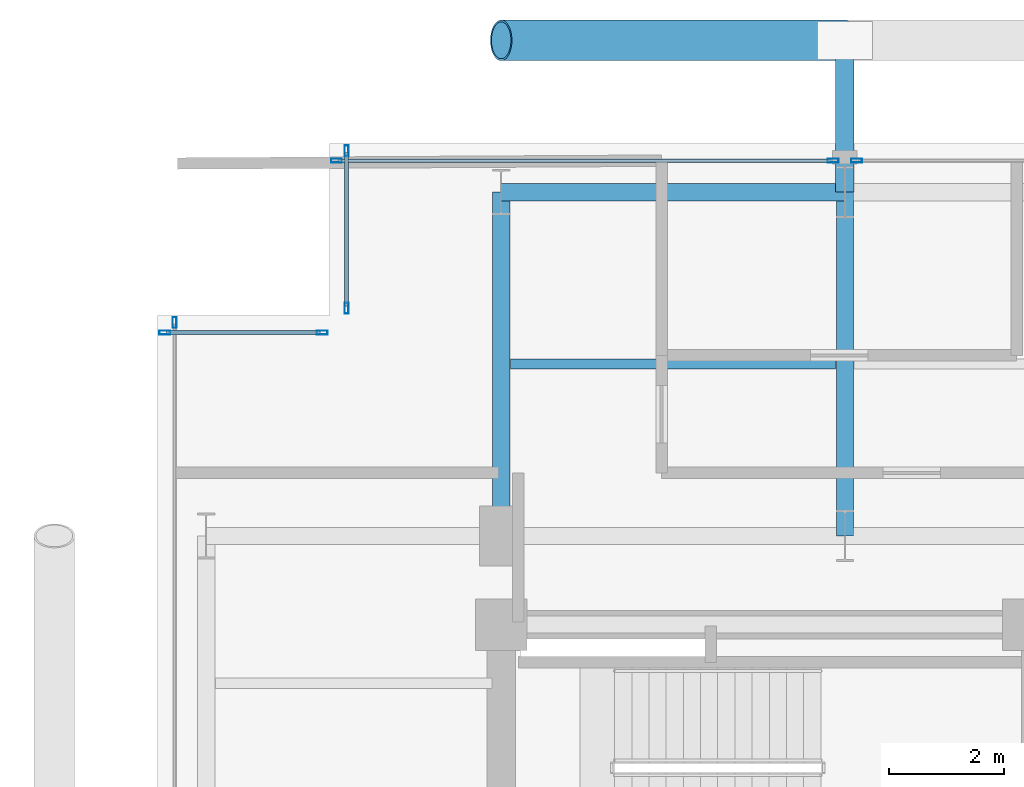
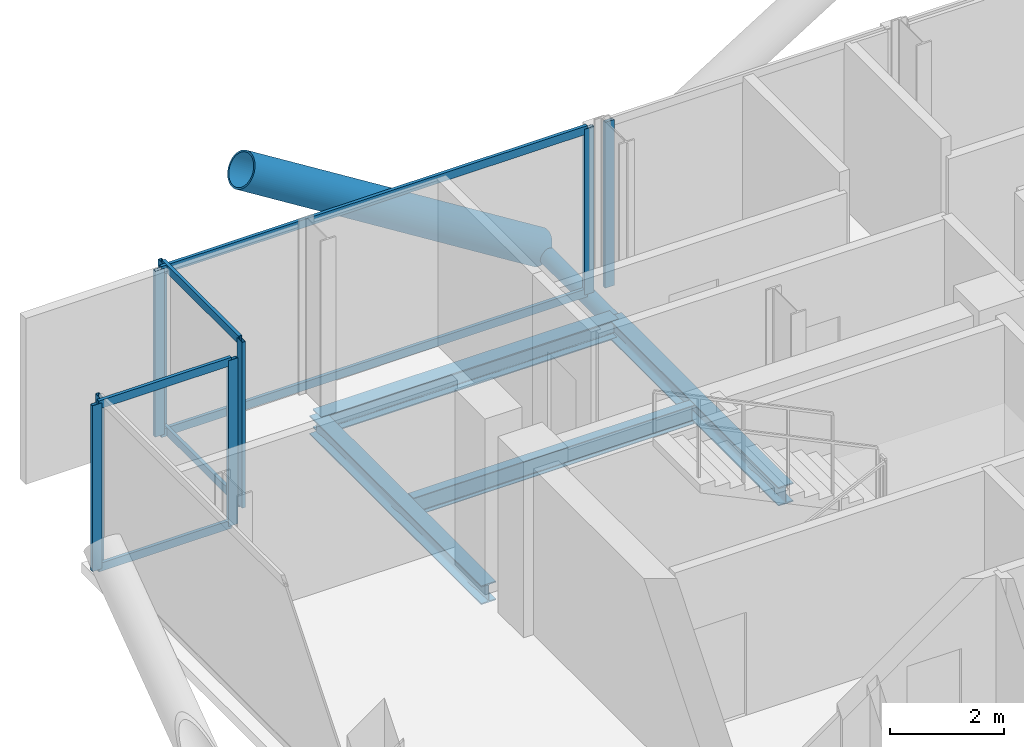
# One storey, part 13 of 22: 16 members, 4 beams, 5 elements without a shape of their own.
"""IFC4 building model written with IfcOpenShell, lengths in metres."""

from ifc_helpers import new_model, si_unit, direction, frame, origin, origin_2d, place, context, subcontext, project, spatial, hollow_rectangle, hollow_circle, i_section, extrude, material, layer, layer_set, material_profile, profile_set, type_object, element, aggregate, save


model = new_model("IFC4")

# Units and contexts
model_context = context("Model", 3, precision=1e-05, world=origin(), true_north=direction((0.0, 1.0)))
body_context = subcontext(model_context, "Body", "Model", "MODEL_VIEW")
ifc_project = project(units=[si_unit("LENGTHUNIT", "METRE"), si_unit("AREAUNIT", "SQUARE_METRE"), si_unit("VOLUMEUNIT", "CUBIC_METRE"), si_unit("PLANEANGLEUNIT", "RADIAN"), si_unit("MASSUNIT", "GRAM", prefix="KILO"), si_unit("THERMODYNAMICTEMPERATUREUNIT", "KELVIN"), si_unit("POWERUNIT", "WATT")], contexts=[model_context])

# Site, building, storey
site_placement = place(None, origin())
site = spatial("IfcSite", under=ifc_project, at=site_placement, CompositionType="ELEMENT")
building_placement = place(site_placement, origin())
building = spatial("IfcBuilding", under=site, at=building_placement, Name="Svarakhadi Broadcast Tower", CompositionType="ELEMENT")
storey_placement = place(building_placement, frame((0.0, 0.0, 176.699951171875)))
storey = spatial("IfcBuildingStorey", under=building, at=storey_placement, Name="L43", CompositionType="ELEMENT", Elevation=176.699951171875)

# Beam
ifc_material_1 = material(Name="Steel S355J2 (IS 2062 E350C)", Category="steel")
ifc_material_profile_1 = material_profile(ifc_material_1, i_section(OverallWidth=0.179931640625, OverallDepth=0.39990234375, WebThickness=0.008544921875, FlangeThickness=0.013427734375, FilletRadius=0.02099609375, at=origin_2d()), Name="NPB 400x180x66")
ifc_profile_set_1 = profile_set([ifc_material_profile_1], Name="Steel S355J2 (IS 2062 E350C)")
beam_type_1 = type_object("IfcBeamType", Name="Beam_NPB400", PredefinedType="BEAM", material=ifc_profile_set_1)
beam_placement = place(storey_placement, frame((6.159912109375, 32.14990234375, -0.409912109375), z_axis=(1.0, 0.0, 0.0), x_axis=(0.0, 1.0, 0.0)))
element("IfcBeam", 1, at=beam_placement, inside=storey, type_object=beam_type_1, Name="L43 Secondary Composite Beam SB008", PredefinedType="BEAM", context=body_context, shape_type="SweptSolid", body=[
    extrude(i_section(OverallWidth=0.179931640625, OverallDepth=0.39990234375, WebThickness=0.008544921875, FlangeThickness=0.013427734375, FilletRadius=0.02099609375, at=origin_2d()), origin(), (0.0, 0.0, 1.0), 5.68017578125),
])

# Curtain wall, member
ifc_material_2 = material(Name="Anodised Bronze Aluminium AA 6063-T6", Category="aluminium")
ifc_layer = layer(ifc_material_2, 0.18994140625)
ifc_layer_set = layer_set([ifc_layer], Name="Anodised Bronze Aluminium AA 6063-T6")
curtain_wall_type = type_object("IfcCurtainWallType", Name="CW_Sys_04", PredefinedType="NOTDEFINED", material=ifc_layer_set)
curtain_wall_1_placement = place(storey_placement, origin())
curtain_wall_1 = element("IfcCurtainWall", 2, at=curtain_wall_1_placement, inside=storey, type_object=curtain_wall_type, Name="L43 West Curtain Wall 03", PredefinedType="NOTDEFINED")
ifc_material_profile_2 = material_profile(ifc_material_2, hollow_rectangle(XDim=0.070068359375, YDim=0.18994140625, WallThickness=0.005615234375, at=origin_2d()), Name="ALU MULLION 190x70x6")
ifc_profile_set_2 = profile_set([ifc_material_profile_2], Name="Anodised Bronze Aluminium AA 6063-T6")
member_type_1 = type_object("IfcMemberType", Name="CW_Sys_04_Mul", PredefinedType="MULLION", material=ifc_profile_set_2)
member_1_placement = place(storey_placement, frame((0.300048828125, 32.875, 0.0), z_axis=(0.0, 0.0, 1.0), x_axis=(-1.0, 0.0, 0.0)))
member_1 = element("IfcMember", 3, at=member_1_placement, type_object=member_type_1, Name="CW-04 mullion 2", PredefinedType="MULLION", context=body_context, shape_type="SweptSolid", body=[
    extrude(hollow_rectangle(XDim=0.070068359375, YDim=0.18994140625, WallThickness=0.005615234375, at=origin_2d()), origin(), (0.0, 0.0, 1.0), 3.5400390625),
])
aggregate(curtain_wall_1, [member_1])

# Curtain wall, members
curtain_wall_2_placement = place(storey_placement, origin())
curtain_wall_2 = element("IfcCurtainWall", 4, at=curtain_wall_2_placement, inside=storey, type_object=curtain_wall_type, Name="L43 Unitised Facade Curtain Wall 04", PredefinedType="NOTDEFINED")
member_2_placement = place(storey_placement, frame((0.125, 32.699951171875, 0.0), z_axis=(0.0, 0.0, 1.0), x_axis=(0.0, 1.0, 0.0)))
member_2 = element("IfcMember", 5, at=member_2_placement, type_object=member_type_1, Name="CW-04 mullion 1", PredefinedType="MULLION", context=body_context, shape_type="SweptSolid", body=[
    extrude(hollow_rectangle(XDim=0.070068359375, YDim=0.18994140625, WallThickness=0.005615234375, at=origin_2d()), origin(), (0.0, 0.0, 1.0), 3.5400390625),
])
member_3_placement = place(storey_placement, frame((2.875, 32.699951171875, 0.0), z_axis=(0.0, 0.0, 1.0), x_axis=(0.0, 1.0, 0.0)))
member_3 = element("IfcMember", 6, at=member_3_placement, type_object=member_type_1, Name="CW-04 mullion 2", PredefinedType="MULLION", context=body_context, shape_type="SweptSolid", body=[
    extrude(hollow_rectangle(XDim=0.070068359375, YDim=0.18994140625, WallThickness=0.005615234375, at=origin_2d()), origin(), (0.0, 0.0, 1.0), 3.5400390625),
])

curtain_wall_3_placement = place(storey_placement, origin())
curtain_wall_3 = element("IfcCurtainWall", 7, at=curtain_wall_3_placement, inside=storey, type_object=curtain_wall_type, Name="L43 Unitised Facade Curtain Wall 05", PredefinedType="NOTDEFINED")
member_4_placement = place(storey_placement, frame((3.300048828125, 33.125, 0.0), z_axis=(0.0, 0.0, 1.0), x_axis=(-1.0, 0.0, 0.0)))
member_4 = element("IfcMember", 8, at=member_4_placement, type_object=member_type_1, Name="CW-04 mullion 1", PredefinedType="MULLION", context=body_context, shape_type="SweptSolid", body=[
    extrude(hollow_rectangle(XDim=0.070068359375, YDim=0.18994140625, WallThickness=0.005615234375, at=origin_2d()), origin(), (0.0, 0.0, 1.0), 3.5400390625),
])
member_5_placement = place(storey_placement, frame((3.300048828125, 35.875, 0.0), z_axis=(0.0, 0.0, 1.0), x_axis=(-1.0, 0.0, 0.0)))
member_5 = element("IfcMember", 9, at=member_5_placement, type_object=member_type_1, Name="CW-04 mullion 2", PredefinedType="MULLION", context=body_context, shape_type="SweptSolid", body=[
    extrude(hollow_rectangle(XDim=0.070068359375, YDim=0.18994140625, WallThickness=0.005615234375, at=origin_2d()), origin(), (0.0, 0.0, 1.0), 3.5400390625),
])

curtain_wall_4_placement = place(storey_placement, origin())
curtain_wall_4 = element("IfcCurtainWall", 10, at=curtain_wall_4_placement, inside=storey, type_object=curtain_wall_type, Name="L43 Unitised Facade Curtain Wall 06 Bay 1", PredefinedType="NOTDEFINED")
member_6_placement = place(storey_placement, frame((3.125, 35.699951171875, 0.0), z_axis=(0.0, 0.0, 1.0), x_axis=(0.0, 1.0, 0.0)))
member_6 = element("IfcMember", 11, at=member_6_placement, type_object=member_type_1, Name="CW-04 mullion 1", PredefinedType="MULLION", context=body_context, shape_type="SweptSolid", body=[
    extrude(hollow_rectangle(XDim=0.070068359375, YDim=0.18994140625, WallThickness=0.005615234375, at=origin_2d()), origin(), (0.0, 0.0, 1.0), 3.5400390625),
])
member_7_placement = place(storey_placement, frame((11.794921875, 35.699951171875, 0.0), z_axis=(0.0, 0.0, 1.0), x_axis=(0.0, 1.0, 0.0)))
member_7 = element("IfcMember", 12, at=member_7_placement, type_object=member_type_1, Name="CW-04 mullion 2", PredefinedType="MULLION", context=body_context, shape_type="SweptSolid", body=[
    extrude(hollow_rectangle(XDim=0.070068359375, YDim=0.18994140625, WallThickness=0.005615234375, at=origin_2d()), origin(), (0.0, 0.0, 1.0), 3.5400390625),
])

# Curtain wall, member
curtain_wall_5_placement = place(storey_placement, origin())
curtain_wall_5 = element("IfcCurtainWall", 13, at=curtain_wall_5_placement, inside=storey, type_object=curtain_wall_type, Name="L43 Unitised Facade Curtain Wall 06 Bay 2", PredefinedType="NOTDEFINED")
member_8_placement = place(storey_placement, frame((12.205078125, 35.699951171875, 0.0), z_axis=(0.0, 0.0, 1.0), x_axis=(0.0, 1.0, 0.0)))
member_8 = element("IfcMember", 14, at=member_8_placement, type_object=member_type_1, Name="CW-04 mullion 1", PredefinedType="MULLION", context=body_context, shape_type="SweptSolid", body=[
    extrude(hollow_rectangle(XDim=0.070068359375, YDim=0.18994140625, WallThickness=0.005615234375, at=origin_2d()), origin(), (0.0, 0.0, 1.0), 3.5400390625),
])
aggregate(curtain_wall_5, [member_8])

# Member
ifc_material_profile_3 = material_profile(ifc_material_2, hollow_rectangle(XDim=0.06494140625, YDim=0.175048828125, WallThickness=0.0048828125, at=origin_2d()), Name="ALU TRANSOM 175x65x5")
ifc_profile_set_3 = profile_set([ifc_material_profile_3], Name="Anodised Bronze Aluminium AA 6063-T6")
member_type_2 = type_object("IfcMemberType", Name="CW_Sys_04_Trn", PredefinedType="USERDEFINED", material=ifc_profile_set_3)
member_9_placement = place(storey_placement, frame((0.159912109375, 32.699951171875, 0.032470703125), z_axis=(1.0, 0.0, 0.0), x_axis=(0.0, 1.0, 0.0)))
member_9 = element("IfcMember", 15, at=member_9_placement, type_object=member_type_2, Name="CW-04 transom 1.1", ObjectType="TRANSOM", PredefinedType="USERDEFINED", context=body_context, shape_type="SweptSolid", body=[
    extrude(hollow_rectangle(XDim=0.06494140625, YDim=0.175048828125, WallThickness=0.0048828125, at=origin_2d()), origin(), (0.0, 0.0, 1.0), 2.68017578125),
])

member_10_placement = place(storey_placement, frame((0.159912109375, 32.699951171875, 3.507568359375), z_axis=(1.0, 0.0, 0.0), x_axis=(0.0, 1.0, 0.0)))
member_10 = element("IfcMember", 16, at=member_10_placement, type_object=member_type_2, Name="CW-04 transom 1.2", ObjectType="TRANSOM", PredefinedType="USERDEFINED", context=body_context, shape_type="SweptSolid", body=[
    extrude(hollow_rectangle(XDim=0.06494140625, YDim=0.175048828125, WallThickness=0.0048828125, at=origin_2d()), origin(), (0.0, 0.0, 1.0), 2.68017578125),
])

aggregate(curtain_wall_2, [member_2, member_3, member_9, member_10])

member_11_placement = place(storey_placement, frame((3.300048828125, 33.159912109375, 0.032470703125), z_axis=(0.0, 1.0, 0.0), x_axis=(-1.0, 0.0, 0.0)))
member_11 = element("IfcMember", 17, at=member_11_placement, type_object=member_type_2, Name="CW-04 transom 1.1", ObjectType="TRANSOM", PredefinedType="USERDEFINED", context=body_context, shape_type="SweptSolid", body=[
    extrude(hollow_rectangle(XDim=0.06494140625, YDim=0.175048828125, WallThickness=0.0048828125, at=origin_2d()), origin(), (0.0, 0.0, 1.0), 2.68017578125),
])

member_12_placement = place(storey_placement, frame((3.300048828125, 33.159912109375, 3.507568359375), z_axis=(0.0, 1.0, 0.0), x_axis=(-1.0, 0.0, 0.0)))
member_12 = element("IfcMember", 18, at=member_12_placement, type_object=member_type_2, Name="CW-04 transom 1.2", ObjectType="TRANSOM", PredefinedType="USERDEFINED", context=body_context, shape_type="SweptSolid", body=[
    extrude(hollow_rectangle(XDim=0.06494140625, YDim=0.175048828125, WallThickness=0.0048828125, at=origin_2d()), origin(), (0.0, 0.0, 1.0), 2.68017578125),
])

aggregate(curtain_wall_3, [member_4, member_5, member_11, member_12])

member_13_placement = place(storey_placement, frame((3.159912109375, 35.699951171875, 0.032470703125), z_axis=(1.0, 0.0, 0.0), x_axis=(0.0, 1.0, 0.0)))
member_13 = element("IfcMember", 19, at=member_13_placement, type_object=member_type_2, Name="CW-04 transom 1.1", ObjectType="TRANSOM", PredefinedType="USERDEFINED", context=body_context, shape_type="SweptSolid", body=[
    extrude(hollow_rectangle(XDim=0.06494140625, YDim=0.175048828125, WallThickness=0.0048828125, at=origin_2d()), origin(), (0.0, 0.0, 1.0), 8.60009765625),
])

member_14_placement = place(storey_placement, frame((3.159912109375, 35.699951171875, 3.507568359375), z_axis=(1.0, 0.0, 0.0), x_axis=(0.0, 1.0, 0.0)))
member_14 = element("IfcMember", 20, at=member_14_placement, type_object=member_type_2, Name="CW-04 transom 1.2", ObjectType="TRANSOM", PredefinedType="USERDEFINED", context=body_context, shape_type="SweptSolid", body=[
    extrude(hollow_rectangle(XDim=0.06494140625, YDim=0.175048828125, WallThickness=0.0048828125, at=origin_2d()), origin(), (0.0, 0.0, 1.0), 8.60009765625),
])

aggregate(curtain_wall_4, [member_6, member_7, member_13, member_14])

# Members
ifc_material_3 = material(Name="Steel S460ML (IS 2062 E450BR)", Category="steel")
ifc_material_profile_4 = material_profile(ifc_material_3, hollow_circle(Radius=0.35546875, WallThickness=0.034912109375, at=origin_2d()), Name="CHS 711x35")
ifc_profile_set_4 = profile_set([ifc_material_profile_4], Name="Steel S460ML (IS 2062 E450BR)")
member_type_3 = type_object("IfcMemberType", Name="Exo_Brace_CHS711", PredefinedType="BRACE", material=ifc_profile_set_4)
member_15_placement = place(storey_placement, frame((12.0, 37.800048828125, -0.371826171875), z_axis=(-0.847998304005, 0.0, 0.529998940003), x_axis=(0.0, -1.0, 0.0)))
element("IfcMember", 21, at=member_15_placement, inside=storey, type_object=member_type_3, Name="L43 Exposed Bronze Exoskeleton Diagonal N06", PredefinedType="BRACE", context=body_context, shape_type="SweptSolid", body=[
    extrude(hollow_circle(Radius=0.35546875, WallThickness=0.034912109375, at=origin_2d()), origin(), (0.0, 0.0, 1.0), 7.075439453125),
])
ifc_material_profile_5 = material_profile(ifc_material_3, hollow_circle(Radius=0.161865234375, WallThickness=0.01611328125, at=origin_2d()), Name="CHS 323.9x16")
ifc_profile_set_5 = profile_set([ifc_material_profile_5], Name="Steel S460ML (IS 2062 E450BR)")
member_type_4 = type_object("IfcMemberType", Name="Exo_Radial_Strut_Z2", PredefinedType="STRUT", material=ifc_profile_set_5)
member_16_placement = place(storey_placement, frame((12.0, 37.800048828125, -0.371826171875), z_axis=(0.0, -1.0, 0.0), x_axis=(1.0, 0.0, 0.0)))
element("IfcMember", 22, at=member_16_placement, inside=storey, type_object=member_type_4, Name="L43 Exoskeleton Radial Tie Strut N05", PredefinedType="STRUT", context=body_context, shape_type="SweptSolid", body=[
    extrude(hollow_circle(Radius=0.161865234375, WallThickness=0.01611328125, at=origin_2d()), origin(), (0.0, 0.0, 1.0), 2.650146484375),
])

# Beams
ifc_material_profile_6 = material_profile(ifc_material_1, i_section(OverallWidth=0.300048828125, OverallDepth=0.39990234375, WebThickness=0.013427734375, FlangeThickness=0.02392578125, FilletRadius=0.027099609375, at=origin_2d()), Name="WPB 400x300x155")
ifc_profile_set_6 = profile_set([ifc_material_profile_6], Name="Steel S355J2 (IS 2062 E350C)")
beam_type_2 = type_object("IfcBeamType", Name="Girder_WPB400", PredefinedType="USERDEFINED", material=ifc_profile_set_6)
for number, where, z_axis, x_axis, name in (
    (23, (6.0, 35.14990234375, -0.409912109375), (1.0, 0.0, 0.0), (0.0, 1.0, 0.0), "L43 Primary E-W Girder G031"),
    (24, (6.0, 29.14990234375, -0.409912109375), (0.0, 1.0, 0.0), (-1.0, 0.0, 0.0), "L43 Primary N-S Girder G041"),
    (25, (12.0, 29.14990234375, -0.409912109375), (0.0, 1.0, 0.0), (-1.0, 0.0, 0.0), "L43 Primary N-S Girder G045"),
):
    element("IfcBeam", number, at=place(storey_placement, frame(where, z_axis=z_axis, x_axis=x_axis)), inside=storey, type_object=beam_type_2, Name=name, ObjectType="GIRDER", PredefinedType="USERDEFINED", context=body_context, shape_type="SweptSolid", body=[
        extrude(i_section(OverallWidth=0.300048828125, OverallDepth=0.39990234375, WebThickness=0.013427734375, FlangeThickness=0.02392578125, FilletRadius=0.027099609375, at=origin_2d()), origin(), (0.0, 0.0, 1.0), 6.0),
    ])

save(model, "model.ifc")
